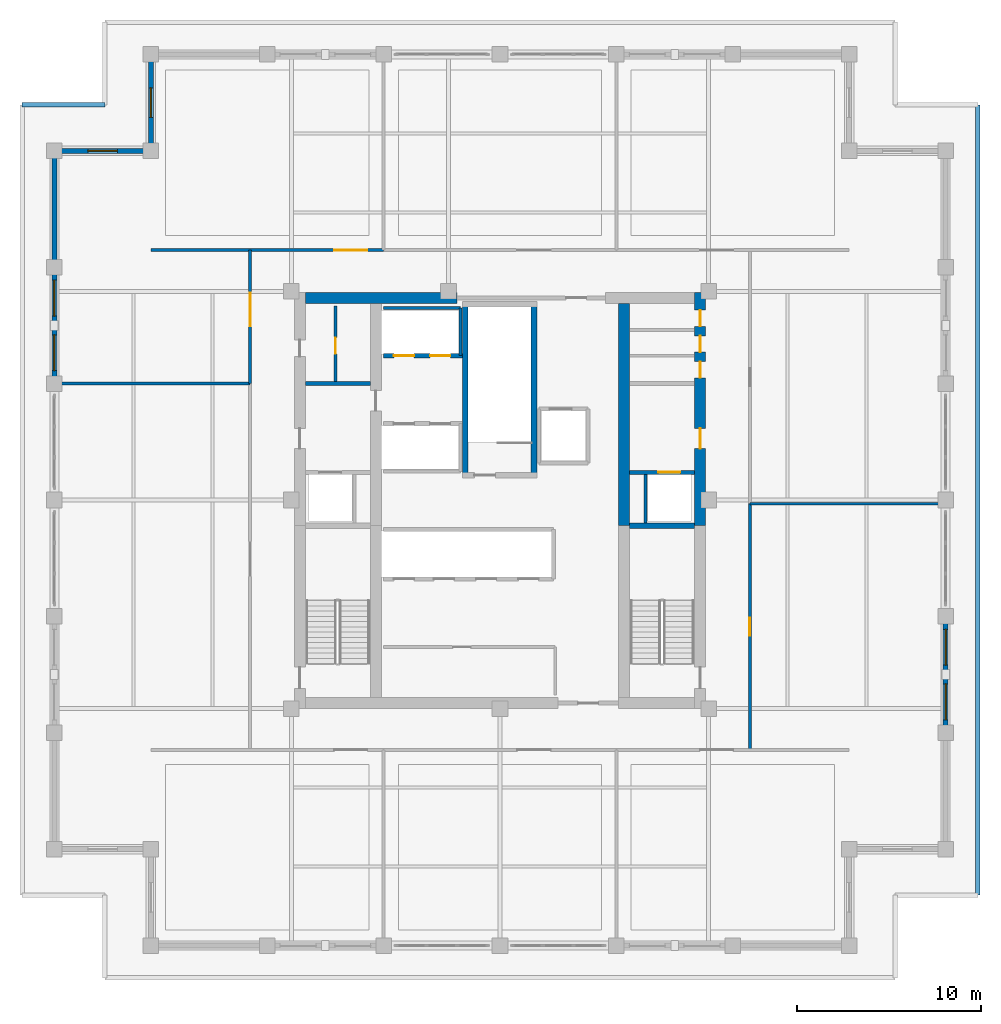
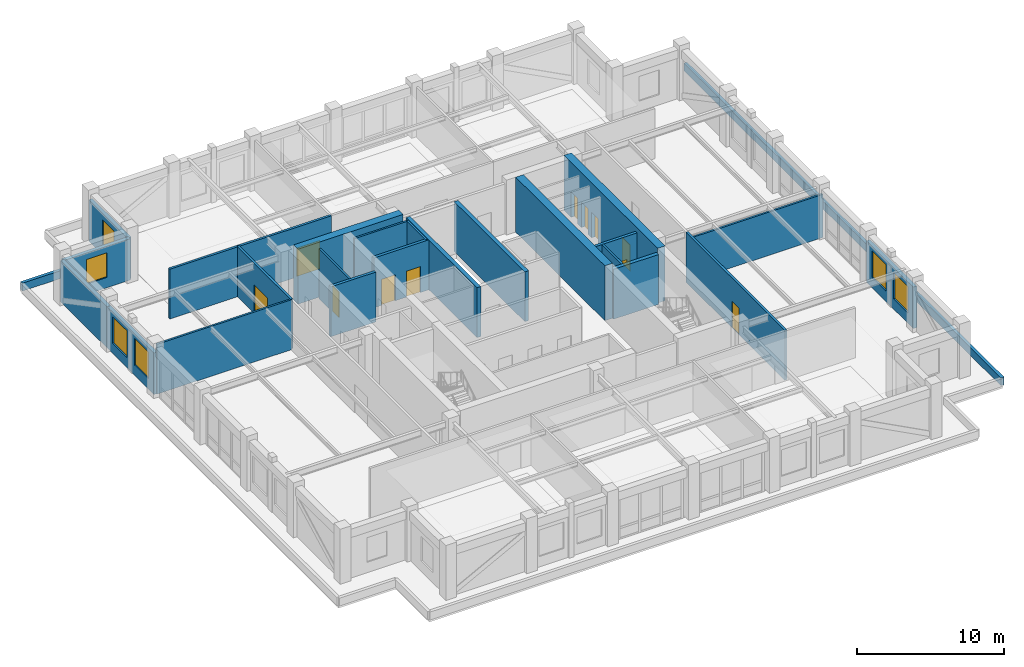
# One storey, part 9 of 14: 25 walls, 11 doors, 6 windows, 17 openings.
"""IFC4 building model written with IfcOpenShell, lengths in metres."""

from ifc_helpers import new_model, si_unit, direction, frame, frame_2d, origin, place, context, subcontext, project, spatial, rectangle, extrude, material, layer, layer_set, type_object, element, fill, save


model = new_model("IFC4")

# Units and contexts
model_context = context("Model", 3, precision=1e-05, world=origin(), true_north=direction((0.0, 1.0)))
body_context = subcontext(model_context, "Body", "Model", "MODEL_VIEW")
ifc_project = project(units=[si_unit("LENGTHUNIT", "METRE"), si_unit("AREAUNIT", "SQUARE_METRE"), si_unit("VOLUMEUNIT", "CUBIC_METRE"), si_unit("PLANEANGLEUNIT", "RADIAN"), si_unit("MASSUNIT", "GRAM", prefix="KILO")], contexts=[model_context])

# Site, building, storey
site_placement = place(None, origin())
site = spatial("IfcSite", under=ifc_project, at=site_placement, CompositionType="ELEMENT")
building_placement = place(site_placement, origin())
building = spatial("IfcBuilding", under=site, at=building_placement, Name="Nhamokura Convention Tower", CompositionType="ELEMENT")
storey_placement = place(building_placement, frame((0.0, 0.0, 182.35009765625)))
storey = spatial("IfcBuildingStorey", under=building, at=storey_placement, Name="L44", CompositionType="ELEMENT", Elevation=182.35009765625)

# Wall, opening, door
ifc_material_1 = material(Name="Moisture-resistant tile-backer partition", Category="masonry")
ifc_layer_1 = layer(ifc_material_1, 0.139892578125)
ifc_layer_set_1 = layer_set([ifc_layer_1], Name="BathroomWetWall_140")
wall_type_1 = type_object("IfcWallType", Name="BathroomWetWall_140", PredefinedType="STANDARD", material=ifc_layer_set_1)
wall_1_placement = place(storey_placement, frame((23.050048828125, 38.449951171875, 0.0), z_axis=(0.0, 0.0, 1.0), x_axis=(0.0, 1.0, 0.0)))
wall_1 = element("IfcWall", 1, at=wall_1_placement, inside=storey, type_object=wall_type_1, Name="L44 Wall INT-L44-CWNWV", PredefinedType="STANDARD", context=body_context, shape_type="SweptSolid", body=[
    extrude(rectangle(XDim=4.10009765625, YDim=0.139892578125, at=frame_2d((2.050048828125, 0.0))), origin(), (0.0, 0.0, 1.0), 4.1298828125),
])
opening_1_placement = place(wall_1_placement, frame((1.5, 0.0, 0.0)))
opening_1 = element("IfcOpeningElement", 2, at=opening_1_placement, cuts=wall_1, Name="Opening D-11", PredefinedType="OPENING", context=body_context, shape_type="SweptSolid", body=[
    extrude(rectangle(XDim=0.8798828125, YDim=2.10009765625, at=frame_2d((0.43994140625, 1.050048828125))), frame((0.0, 0.079833984375, 0.0), z_axis=(0.0, -1.0, 0.0), x_axis=(1.0, 0.0, 0.0)), (0.0, 0.0, 1.0), 0.159912109375),
])
ifc_material_2 = material(Name="Solid oak hardwood", Category="wood")
door_type_1 = type_object("IfcDoorType", Name="BathroomDoor_880", OperationType="NOTDEFINED", PredefinedType="DOOR", material=ifc_material_2)
door_1_placement = place(opening_1_placement, origin())
door_1 = element("IfcDoor", 3, at=door_1_placement, inside=storey, type_object=door_type_1, Name="L44 Inner Store Door", OperationType="SINGLE_SWING_LEFT", OverallHeight=2.10009765625, OverallWidth=0.8798828125, PredefinedType="DOOR", context=body_context, shape_type="SweptSolid", body=[
    extrude(rectangle(XDim=0.8798828125, YDim=2.10009765625, at=frame_2d((0.43994140625, 1.050048828125))), frame((0.0, 0.02490234375, 0.0), z_axis=(0.0, -1.0, 0.0), x_axis=(1.0, 0.0, 0.0)), (0.0, 0.0, 1.0), 0.050048828125),
])
fill(opening_1, door_1)

# Wall, openings, windows
ifc_material_3 = material(Name="Bronze-pigmented precast concrete C45/55", Category="concrete")
ifc_layer_2 = layer(ifc_material_3, 0.280029296875)
ifc_layer_set_2 = layer_set([ifc_layer_2], Name="BronzePrecastSpandrel_280")
wall_type_2 = type_object("IfcWallType", Name="BronzePrecastSpandrel_280", PredefinedType="USERDEFINED", material=ifc_layer_set_2)
wall_2_placement = place(storey_placement, frame((7.75, 38.333251953125, 0.0), z_axis=(0.0, 0.0, 1.0), x_axis=(0.0, 1.0, 0.0)))
wall_2 = element("IfcWall", 4, at=wall_2_placement, inside=storey, type_object=wall_type_2, Name="L44 Masonry-Frame Wall WEST 4", ObjectType="SPANDREL_WALL", PredefinedType="USERDEFINED", context=body_context, shape_type="SweptSolid", body=[
    extrude(rectangle(XDim=6.33349609375, YDim=0.280029296875, at=frame_2d((3.166748046875, 0.0))), origin(), (0.0, 0.0, 1.0), 3.429931640625),
])
opening_2_placement = place(wall_2_placement, frame((0.708251953125, 0.0, 0.85009765625)))
opening_2 = element("IfcOpeningElement", 5, at=opening_2_placement, cuts=wall_2, Name="Opening W-08", PredefinedType="OPENING", context=body_context, shape_type="SweptSolid", body=[
    extrude(rectangle(XDim=1.949951171875, YDim=2.199951171875, at=frame_2d((0.97509765625, 1.10009765625))), frame((0.0, 0.14990234375, 0.0), z_axis=(0.0, -1.0, 0.0), x_axis=(1.0, 0.0, 0.0)), (0.0, 0.0, 1.0), 0.300048828125),
])
opening_3_placement = place(wall_2_placement, frame((3.675048828125, 0.0, 0.85009765625)))
opening_3 = element("IfcOpeningElement", 6, at=opening_3_placement, cuts=wall_2, Name="Opening W-08", PredefinedType="OPENING", context=body_context, shape_type="SweptSolid", body=[
    extrude(rectangle(XDim=1.949951171875, YDim=2.199951171875, at=frame_2d((0.97509765625, 1.10009765625))), frame((0.0, 0.14990234375, 0.0), z_axis=(0.0, -1.0, 0.0), x_axis=(1.0, 0.0, 0.0)), (0.0, 0.0, 1.0), 0.300048828125),
])
ifc_material_4 = material(Name="Solar-control bronze low-E double glass", Category="glass")
window_type_1 = type_object("IfcWindowType", Name="OfficeModuleWindow_Z3_1950", PartitioningType="SINGLE_PANEL", PredefinedType="WINDOW", material=ifc_material_4)
window_1_placement = place(opening_2_placement, origin())
window_1 = element("IfcWindow", 7, at=window_1_placement, inside=storey, type_object=window_type_1, Name="L44 Facade Window WEST 4-1", OverallHeight=2.199951171875, OverallWidth=1.949951171875, PartitioningType="SINGLE_PANEL", PredefinedType="WINDOW", context=body_context, shape_type="SweptSolid", body=[
    extrude(rectangle(XDim=1.949951171875, YDim=2.199951171875, at=frame_2d((0.97509765625, 1.10009765625))), frame((0.0, 0.030029296875, 0.0), z_axis=(0.0, -1.0, 0.0), x_axis=(1.0, 0.0, 0.0)), (0.0, 0.0, 1.0), 0.06005859375),
])
fill(opening_2, window_1)
window_2_placement = place(opening_3_placement, origin())
window_2 = element("IfcWindow", 8, at=window_2_placement, inside=storey, type_object=window_type_1, Name="L44 Facade Window WEST 4-2", OverallHeight=2.199951171875, OverallWidth=1.949951171875, PartitioningType="SINGLE_PANEL", PredefinedType="WINDOW", context=body_context, shape_type="SweptSolid", body=[
    extrude(rectangle(XDim=1.949951171875, YDim=2.199951171875, at=frame_2d((0.97509765625, 1.10009765625))), frame((0.0, 0.030029296875, 0.0), z_axis=(0.0, -1.0, 0.0), x_axis=(1.0, 0.0, 0.0)), (0.0, 0.0, 1.0), 0.06005859375),
])
fill(opening_3, window_2)

# Wall
wall_3_placement = place(storey_placement, frame((7.75, 44.666748046875, 0.0), z_axis=(0.0, 0.0, 1.0), x_axis=(0.0, 1.0, 0.0)))
element("IfcWall", 9, at=wall_3_placement, inside=storey, type_object=wall_type_2, Name="L44 Braced-Bay Precast Wall WEST 5", ObjectType="SPANDREL_WALL", PredefinedType="USERDEFINED", context=body_context, shape_type="SweptSolid", body=[
    extrude(rectangle(XDim=6.333251953125, YDim=0.280029296875, at=frame_2d((3.16650390625, 0.0))), origin(), (0.0, 0.0, 1.0), 3.429931640625),
])

# Wall, openings, windows
wall_4_placement = place(storey_placement, frame((56.25, 25.666748046875, 0.0), z_axis=(0.0, 0.0, 1.0), x_axis=(0.0, -1.0, 0.0)))
wall_4 = element("IfcWall", 10, at=wall_4_placement, inside=storey, type_object=wall_type_2, Name="L44 Masonry-Frame Wall EAST 1", ObjectType="SPANDREL_WALL", PredefinedType="USERDEFINED", context=body_context, shape_type="SweptSolid", body=[
    extrude(rectangle(XDim=6.33349609375, YDim=0.280029296875, at=frame_2d((3.166748046875, 0.0))), origin(), (0.0, 0.0, 1.0), 3.429931640625),
])
opening_4_placement = place(wall_4_placement, frame((0.708251953125, 0.0, 0.85009765625)))
opening_4 = element("IfcOpeningElement", 11, at=opening_4_placement, cuts=wall_4, Name="Opening W-08", PredefinedType="OPENING", context=body_context, shape_type="SweptSolid", body=[
    extrude(rectangle(XDim=1.949951171875, YDim=2.199951171875, at=frame_2d((0.97509765625, 1.10009765625))), frame((0.0, 0.14990234375, 0.0), z_axis=(0.0, -1.0, 0.0), x_axis=(1.0, 0.0, 0.0)), (0.0, 0.0, 1.0), 0.300048828125),
])
opening_5_placement = place(wall_4_placement, frame((3.675048828125, 0.0, 0.85009765625)))
opening_5 = element("IfcOpeningElement", 12, at=opening_5_placement, cuts=wall_4, Name="Opening W-08", PredefinedType="OPENING", context=body_context, shape_type="SweptSolid", body=[
    extrude(rectangle(XDim=1.949951171875, YDim=2.199951171875, at=frame_2d((0.97509765625, 1.10009765625))), frame((0.0, 0.14990234375, 0.0), z_axis=(0.0, -1.0, 0.0), x_axis=(1.0, 0.0, 0.0)), (0.0, 0.0, 1.0), 0.300048828125),
])
window_3_placement = place(opening_4_placement, origin())
window_3 = element("IfcWindow", 13, at=window_3_placement, inside=storey, type_object=window_type_1, Name="L44 Facade Window EAST 1-1", OverallHeight=2.199951171875, OverallWidth=1.949951171875, PartitioningType="SINGLE_PANEL", PredefinedType="WINDOW", context=body_context, shape_type="SweptSolid", body=[
    extrude(rectangle(XDim=1.949951171875, YDim=2.199951171875, at=frame_2d((0.97509765625, 1.10009765625))), frame((0.0, 0.030029296875, 0.0), z_axis=(0.0, -1.0, 0.0), x_axis=(1.0, 0.0, 0.0)), (0.0, 0.0, 1.0), 0.06005859375),
])
fill(opening_4, window_3)
window_4_placement = place(opening_5_placement, origin())
window_4 = element("IfcWindow", 14, at=window_4_placement, inside=storey, type_object=window_type_1, Name="L44 Facade Window EAST 1-2", OverallHeight=2.199951171875, OverallWidth=1.949951171875, PartitioningType="SINGLE_PANEL", PredefinedType="WINDOW", context=body_context, shape_type="SweptSolid", body=[
    extrude(rectangle(XDim=1.949951171875, YDim=2.199951171875, at=frame_2d((0.97509765625, 1.10009765625))), frame((0.0, 0.030029296875, 0.0), z_axis=(0.0, -1.0, 0.0), x_axis=(1.0, 0.0, 0.0)), (0.0, 0.0, 1.0), 0.06005859375),
])
fill(opening_5, window_4)

# Wall, opening, window
wall_5_placement = place(storey_placement, frame((13.0, 51.0, 0.0), z_axis=(0.0, 0.0, 1.0), x_axis=(0.0, 1.0, 0.0)))
wall_5 = element("IfcWall", 15, at=wall_5_placement, inside=storey, type_object=wall_type_2, Name="L44 Notched Corner Wall NW1", ObjectType="SPANDREL_WALL", PredefinedType="USERDEFINED", context=body_context, shape_type="SweptSolid", body=[
    extrude(rectangle(XDim=5.25, YDim=0.280029296875, at=frame_2d((2.625, 0.0))), origin(), (0.0, 0.0, 1.0), 3.429931640625),
])
opening_6_placement = place(wall_5_placement, frame((1.824951171875, 0.0, 0.85009765625)))
opening_6 = element("IfcOpeningElement", 16, at=opening_6_placement, cuts=wall_5, Name="Opening W-11", PredefinedType="OPENING", context=body_context, shape_type="SweptSolid", body=[
    extrude(rectangle(XDim=1.60009765625, YDim=2.050048828125, at=frame_2d((0.800048828125, 1.02490234375))), frame((0.0, 0.14990234375, 0.0), z_axis=(0.0, -1.0, 0.0), x_axis=(1.0, 0.0, 0.0)), (0.0, 0.0, 1.0), 0.300048828125),
])
ifc_material_5 = material(Name="Solar-control bronze low-E double glass", Category="glass")
window_type_2 = type_object("IfcWindowType", Name="NotchCornerWindow_1600", PartitioningType="SINGLE_PANEL", PredefinedType="WINDOW", material=ifc_material_5)
window_5_placement = place(opening_6_placement, origin())
window_5 = element("IfcWindow", 17, at=window_5_placement, inside=storey, type_object=window_type_2, Name="L44 Notched Corner Window NW1", OverallHeight=2.050048828125, OverallWidth=1.60009765625, PartitioningType="SINGLE_PANEL", PredefinedType="WINDOW", context=body_context, shape_type="SweptSolid", body=[
    extrude(rectangle(XDim=1.60009765625, YDim=2.050048828125, at=frame_2d((0.800048828125, 1.02490234375))), frame((0.0, 0.030029296875, 0.0), z_axis=(0.0, -1.0, 0.0), x_axis=(1.0, 0.0, 0.0)), (0.0, 0.0, 1.0), 0.06005859375),
])
fill(opening_6, window_5)

wall_6_placement = place(storey_placement, frame((7.75, 51.0, 0.0), z_axis=(0.0, 0.0, 1.0), x_axis=(1.0, 0.0, 0.0)))
wall_6 = element("IfcWall", 18, at=wall_6_placement, inside=storey, type_object=wall_type_2, Name="L44 Notched Corner Wall NW2", ObjectType="SPANDREL_WALL", PredefinedType="USERDEFINED", context=body_context, shape_type="SweptSolid", body=[
    extrude(rectangle(XDim=5.25, YDim=0.280029296875, at=frame_2d((2.625, 0.0))), origin(), (0.0, 0.0, 1.0), 3.429931640625),
])
opening_7_placement = place(wall_6_placement, frame((1.824951171875, 0.0, 0.85009765625)))
opening_7 = element("IfcOpeningElement", 19, at=opening_7_placement, cuts=wall_6, Name="Opening W-11", PredefinedType="OPENING", context=body_context, shape_type="SweptSolid", body=[
    extrude(rectangle(XDim=1.60009765625, YDim=2.050048828125, at=frame_2d((0.800048828125, 1.02490234375))), frame((0.0, 0.14990234375, 0.0), z_axis=(0.0, -1.0, 0.0), x_axis=(1.0, 0.0, 0.0)), (0.0, 0.0, 1.0), 0.300048828125),
])
window_6_placement = place(opening_7_placement, origin())
window_6 = element("IfcWindow", 20, at=window_6_placement, inside=storey, type_object=window_type_2, Name="L44 Notched Corner Window NW2", OverallHeight=2.050048828125, OverallWidth=1.60009765625, PartitioningType="SINGLE_PANEL", PredefinedType="WINDOW", context=body_context, shape_type="SweptSolid", body=[
    extrude(rectangle(XDim=1.60009765625, YDim=2.050048828125, at=frame_2d((0.800048828125, 1.02490234375))), frame((0.0, 0.030029296875, 0.0), z_axis=(0.0, -1.0, 0.0), x_axis=(1.0, 0.0, 0.0)), (0.0, 0.0, 1.0), 0.06005859375),
])
fill(opening_7, window_6)

# Wall, openings, doors
ifc_material_6 = material(Name="Concrete C60/75", Category="concrete")
ifc_layer_3 = layer(ifc_material_6, 0.60009765625)
ifc_layer_set_3 = layer_set([ifc_layer_3], Name="CoreShearWall_600")
wall_type_3 = type_object("IfcWallType", Name="CoreShearWall_600", PredefinedType="SHEAR", material=ifc_layer_set_3)
wall_7_placement = place(storey_placement, frame((42.889892578125, 30.60009765625, 0.0), z_axis=(0.0, 0.0, 1.0), x_axis=(0.0, 1.0, 0.0)))
wall_7 = element("IfcWall", 21, at=wall_7_placement, inside=storey, type_object=wall_type_3, Name="L44 Core Shear Wall CW-EN", PredefinedType="SHEAR", context=body_context, shape_type="SweptSolid", body=[
    extrude(rectangle(XDim=12.699951171875, YDim=0.60009765625, at=frame_2d((6.35009765625, 0.0))), origin(), (0.0, 0.0, 1.0), 4.5498046875),
])
opening_8_placement = place(wall_7_placement, frame((4.199951171875, 0.0, 0.0)))
opening_8 = element("IfcOpeningElement", 22, at=opening_8_placement, cuts=wall_7, Name="Opening D-05", PredefinedType="OPENING", context=body_context, shape_type="SweptSolid", body=[
    extrude(rectangle(XDim=1.10009765625, YDim=2.14990234375, at=frame_2d((0.550048828125, 1.074951171875))), frame((0.0, 0.31005859375, 0.0), z_axis=(0.0, -1.0, 0.0), x_axis=(1.0, 0.0, 0.0)), (0.0, 0.0, 1.0), 0.6201171875),
])
opening_9_placement = place(wall_7_placement, frame((8.050048828125, 0.0, 0.0)))
opening_9 = element("IfcOpeningElement", 23, at=opening_9_placement, cuts=wall_7, Name="Opening D-11", PredefinedType="OPENING", context=body_context, shape_type="SweptSolid", body=[
    extrude(rectangle(XDim=0.8798828125, YDim=2.10009765625, at=frame_2d((0.43994140625, 1.050048828125))), frame((0.0, 0.31005859375, 0.0), z_axis=(0.0, -1.0, 0.0), x_axis=(1.0, 0.0, 0.0)), (0.0, 0.0, 1.0), 0.6201171875),
])
opening_10_placement = place(wall_7_placement, frame((9.449951171875, 0.0, 0.0)))
opening_10 = element("IfcOpeningElement", 24, at=opening_10_placement, cuts=wall_7, Name="Opening D-11", PredefinedType="OPENING", context=body_context, shape_type="SweptSolid", body=[
    extrude(rectangle(XDim=0.8798828125, YDim=2.10009765625, at=frame_2d((0.43994140625, 1.050048828125))), frame((0.0, 0.31005859375, 0.0), z_axis=(0.0, -1.0, 0.0), x_axis=(1.0, 0.0, 0.0)), (0.0, 0.0, 1.0), 0.6201171875),
])
opening_11_placement = place(wall_7_placement, frame((10.85009765625, 0.0, 0.0)))
opening_11 = element("IfcOpeningElement", 25, at=opening_11_placement, cuts=wall_7, Name="Opening D-11", PredefinedType="OPENING", context=body_context, shape_type="SweptSolid", body=[
    extrude(rectangle(XDim=0.8798828125, YDim=2.10009765625, at=frame_2d((0.43994140625, 1.050048828125))), frame((0.0, 0.31005859375, 0.0), z_axis=(0.0, -1.0, 0.0), x_axis=(1.0, 0.0, 0.0)), (0.0, 0.0, 1.0), 0.6201171875),
])
door_2_placement = place(opening_9_placement, origin())
door_2 = element("IfcDoor", 26, at=door_2_placement, inside=storey, type_object=door_type_1, Name="L44 Core Door INT-L44-D-MWC", OperationType="SINGLE_SWING_LEFT", OverallHeight=2.10009765625, OverallWidth=0.8798828125, PredefinedType="DOOR", context=body_context, shape_type="SweptSolid", body=[
    extrude(rectangle(XDim=0.8798828125, YDim=2.10009765625, at=frame_2d((0.43994140625, 1.050048828125))), frame((0.0, 0.02490234375, 0.0), z_axis=(0.0, -1.0, 0.0), x_axis=(1.0, 0.0, 0.0)), (0.0, 0.0, 1.0), 0.050048828125),
])
fill(opening_9, door_2)
door_3_placement = place(opening_10_placement, origin())
door_3 = element("IfcDoor", 27, at=door_3_placement, inside=storey, type_object=door_type_1, Name="L44 Core Door INT-L44-D-FWC", OperationType="SINGLE_SWING_RIGHT", OverallHeight=2.10009765625, OverallWidth=0.8798828125, PredefinedType="DOOR", context=body_context, shape_type="SweptSolid", body=[
    extrude(rectangle(XDim=0.8798828125, YDim=2.10009765625, at=frame_2d((0.43994140625, 1.050048828125))), frame((0.0, 0.02490234375, 0.0), z_axis=(0.0, -1.0, 0.0), x_axis=(1.0, 0.0, 0.0)), (0.0, 0.0, 1.0), 0.050048828125),
])
fill(opening_10, door_3)
door_4_placement = place(opening_11_placement, origin())
door_4 = element("IfcDoor", 28, at=door_4_placement, inside=storey, type_object=door_type_1, Name="L44 Core Door INT-L44-D-ARC", OperationType="SINGLE_SWING_LEFT", OverallHeight=2.10009765625, OverallWidth=0.8798828125, PredefinedType="DOOR", context=body_context, shape_type="SweptSolid", body=[
    extrude(rectangle(XDim=0.8798828125, YDim=2.10009765625, at=frame_2d((0.43994140625, 1.050048828125))), frame((0.0, 0.02490234375, 0.0), z_axis=(0.0, -1.0, 0.0), x_axis=(1.0, 0.0, 0.0)), (0.0, 0.0, 1.0), 0.050048828125),
])
fill(opening_11, door_4)
ifc_material_7 = material(Name="Fire-rated steel door", Category="steel")
door_type_2 = type_object("IfcDoorType", Name="FireLobbyDoor_1100", OperationType="NOTDEFINED", PredefinedType="DOOR", material=ifc_material_7)
door_5_placement = place(opening_8_placement, origin())
door_5 = element("IfcDoor", 29, at=door_5_placement, inside=storey, type_object=door_type_2, Name="L44 Core Door INT-L44-D-FFLE", OperationType="SINGLE_SWING_LEFT", OverallHeight=2.14990234375, OverallWidth=1.10009765625, PredefinedType="DOOR", context=body_context, shape_type="SweptSolid", body=[
    extrude(rectangle(XDim=1.10009765625, YDim=2.14990234375, at=frame_2d((0.550048828125, 1.074951171875))), frame((0.0, 0.02490234375, 0.0), z_axis=(0.0, -1.0, 0.0), x_axis=(1.0, 0.0, 0.0)), (0.0, 0.0, 1.0), 0.050048828125),
])
fill(opening_8, door_5)

# Walls
wall_8_placement = place(storey_placement, frame((21.409912109375, 43.0, 0.0), z_axis=(0.0, 0.0, 1.0), x_axis=(1.0, 0.0, 0.0)))
element("IfcWall", 30, at=wall_8_placement, inside=storey, type_object=wall_type_3, Name="L44 Core Shear Wall CW-N1", PredefinedType="SHEAR", context=body_context, shape_type="SweptSolid", body=[
    extrude(rectangle(XDim=8.239990234375, YDim=0.60009765625, at=frame_2d((4.1201171875, 0.0))), origin(), (0.0, 0.0, 1.0), 4.5498046875),
])
wall_9_placement = place(storey_placement, frame((38.760009765625, 30.60009765625, 0.0), z_axis=(0.0, 0.0, 1.0), x_axis=(0.0, 1.0, 0.0)))
element("IfcWall", 31, at=wall_9_placement, inside=storey, type_object=wall_type_3, Name="L44 Core Shear Wall CW-IEN", PredefinedType="SHEAR", context=body_context, shape_type="SweptSolid", body=[
    extrude(rectangle(XDim=12.099853515625, YDim=0.60009765625, at=frame_2d((6.0498046875, 0.0))), origin(), (0.0, 0.0, 1.0), 4.5498046875),
])

# Wall, opening, door
ifc_material_8 = material(Name="Fire-rated gypsum and masonry partition", Category="masonry")
ifc_layer_4 = layer(ifc_material_8, 0.179931640625)
ifc_layer_set_4 = layer_set([ifc_layer_4], Name="CorridorRatedWall_180")
wall_type_4 = type_object("IfcWallType", Name="CorridorRatedWall_180", PredefinedType="STANDARD", material=ifc_layer_set_4)
wall_10_placement = place(storey_placement, frame((13.0, 45.60009765625, 0.0), z_axis=(0.0, 0.0, 1.0), x_axis=(1.0, 0.0, 0.0)))
wall_10 = element("IfcWall", 32, at=wall_10_placement, inside=storey, type_object=wall_type_4, Name="L44 Wall INT-L44-CW-N00", PredefinedType="STANDARD", context=body_context, shape_type="SweptSolid", body=[
    extrude(rectangle(XDim=12.666748046875, YDim=0.179931640625, at=frame_2d((6.33349609375, 0.0))), origin(), (0.0, 0.0, 1.0), 4.1298828125),
])
opening_12_placement = place(wall_10_placement, frame((9.9833984375, 0.0, 0.0)))
opening_12 = element("IfcOpeningElement", 33, at=opening_12_placement, cuts=wall_10, Name="Opening D-03", PredefinedType="OPENING", context=body_context, shape_type="SweptSolid", body=[
    extrude(rectangle(XDim=1.800048828125, YDim=2.35009765625, at=frame_2d((0.89990234375, 1.175048828125))), frame((0.0, 0.099853515625, 0.0), z_axis=(0.0, -1.0, 0.0), x_axis=(1.0, 0.0, 0.0)), (0.0, 0.0, 1.0), 0.199951171875),
])
ifc_material_9 = material(Name="Solid oak hardwood", Category="wood")
door_type_3 = type_object("IfcDoorType", Name="BallroomDoubleDoor_1800", OperationType="DOUBLE_DOOR_SINGLE_SWING", PredefinedType="DOOR", material=ifc_material_9)
door_6_placement = place(opening_12_placement, origin())
door_6 = element("IfcDoor", 34, at=door_6_placement, inside=storey, type_object=door_type_3, Name="L44 Boardroom N01 Door", OperationType="SINGLE_SWING_LEFT", OverallHeight=2.35009765625, OverallWidth=1.800048828125, PredefinedType="DOOR", context=body_context, shape_type="SweptSolid", body=[
    extrude(rectangle(XDim=1.800048828125, YDim=2.35009765625, at=frame_2d((0.89990234375, 1.175048828125))), frame((0.0, 0.02490234375, 0.0), z_axis=(0.0, -1.0, 0.0), x_axis=(1.0, 0.0, 0.0)), (0.0, 0.0, 1.0), 0.050048828125),
])
fill(opening_12, door_6)

wall_11_placement = place(storey_placement, frame((18.39990234375, 38.333251953125, 0.0), z_axis=(0.0, 0.0, 1.0), x_axis=(0.0, 1.0, 0.0)))
wall_11 = element("IfcWall", 35, at=wall_11_placement, inside=storey, type_object=wall_type_4, Name="L44 Wall INT-L44-CW-W01", PredefinedType="STANDARD", context=body_context, shape_type="SweptSolid", body=[
    extrude(rectangle(XDim=7.266845703125, YDim=0.179931640625, at=frame_2d((3.63330078125, 0.0))), origin(), (0.0, 0.0, 1.0), 4.1298828125),
])
opening_13_placement = place(wall_11_placement, frame((3.13330078125, 0.0, 0.0)))
opening_13 = element("IfcOpeningElement", 36, at=opening_13_placement, cuts=wall_11, Name="Opening D-03", PredefinedType="OPENING", context=body_context, shape_type="SweptSolid", body=[
    extrude(rectangle(XDim=1.800048828125, YDim=2.35009765625, at=frame_2d((0.89990234375, 1.175048828125))), frame((0.0, 0.099853515625, 0.0), z_axis=(0.0, -1.0, 0.0), x_axis=(1.0, 0.0, 0.0)), (0.0, 0.0, 1.0), 0.199951171875),
])
door_7_placement = place(opening_13_placement, origin())
door_7 = element("IfcDoor", 37, at=door_7_placement, inside=storey, type_object=door_type_3, Name="L44 Meeting Room W02 Door", OperationType="SINGLE_SWING_RIGHT", OverallHeight=2.35009765625, OverallWidth=1.800048828125, PredefinedType="DOOR", context=body_context, shape_type="SweptSolid", body=[
    extrude(rectangle(XDim=1.800048828125, YDim=2.35009765625, at=frame_2d((0.89990234375, 1.175048828125))), frame((0.0, 0.02490234375, 0.0), z_axis=(0.0, -1.0, 0.0), x_axis=(1.0, 0.0, 0.0)), (0.0, 0.0, 1.0), 0.050048828125),
])
fill(opening_13, door_7)

wall_12_placement = place(storey_placement, frame((45.60009765625, 18.39990234375, 0.0), z_axis=(0.0, 0.0, 1.0), x_axis=(0.0, 1.0, 0.0)))
wall_12 = element("IfcWall", 38, at=wall_12_placement, inside=storey, type_object=wall_type_4, Name="L44 Wall INT-L44-CW-E00", PredefinedType="STANDARD", context=body_context, shape_type="SweptSolid", body=[
    extrude(rectangle(XDim=13.400146484375, YDim=0.179931640625, at=frame_2d((6.7001953125, 0.0))), origin(), (0.0, 0.0, 1.0), 4.1298828125),
])
opening_14_placement = place(wall_12_placement, frame((6.199951171875, 0.0, 0.0)))
opening_14 = element("IfcOpeningElement", 39, at=opening_14_placement, cuts=wall_12, Name="Opening D-08", PredefinedType="OPENING", context=body_context, shape_type="SweptSolid", body=[
    extrude(rectangle(XDim=0.97998046875, YDim=2.199951171875, at=frame_2d((0.489990234375, 1.10009765625))), frame((0.0, 0.099853515625, 0.0), z_axis=(0.0, -1.0, 0.0), x_axis=(1.0, 0.0, 0.0)), (0.0, 0.0, 1.0), 0.199951171875),
])
ifc_material_10 = material(Name="Solid oak hardwood", Category="wood")
door_type_4 = type_object("IfcDoorType", Name="OfficeEntryDoor_980", OperationType="NOTDEFINED", PredefinedType="DOOR", material=ifc_material_10)
door_8_placement = place(opening_14_placement, origin())
door_8 = element("IfcDoor", 40, at=door_8_placement, inside=storey, type_object=door_type_4, Name="L44 Club Lounge E01 Door", OperationType="SINGLE_SWING_LEFT", OverallHeight=2.199951171875, OverallWidth=0.97998046875, PredefinedType="DOOR", context=body_context, shape_type="SweptSolid", body=[
    extrude(rectangle(XDim=0.97998046875, YDim=2.199951171875, at=frame_2d((0.489990234375, 1.10009765625))), frame((0.0, 0.02490234375, 0.0), z_axis=(0.0, -1.0, 0.0), x_axis=(1.0, 0.0, 0.0)), (0.0, 0.0, 1.0), 0.050048828125),
])
fill(opening_14, door_8)

ifc_material_11 = material(Name="Autoclaved concrete blockwork", Category="masonry")
ifc_layer_5 = layer(ifc_material_11, 0.219970703125)
ifc_layer_set_5 = layer_set([ifc_layer_5], Name="FireLobbyWall_220")
wall_type_5 = type_object("IfcWallType", Name="FireLobbyWall_220", PredefinedType="STANDARD", material=ifc_layer_set_5)
wall_13_placement = place(storey_placement, frame((39.06005859375, 33.5, 0.0), z_axis=(0.0, 0.0, 1.0), x_axis=(1.0, 0.0, 0.0)))
wall_13 = element("IfcWall", 41, at=wall_13_placement, inside=storey, type_object=wall_type_5, Name="L44 Wall INT-L44-FFE-S", PredefinedType="STANDARD", context=body_context, shape_type="SweptSolid", body=[
    extrude(rectangle(XDim=3.530029296875, YDim=0.219970703125, at=frame_2d((1.76513671875, 0.0))), origin(), (0.0, 0.0, 1.0), 4.1298828125),
])
opening_15_placement = place(wall_13_placement, frame((1.550048828125, 0.0, 0.0)))
opening_15 = element("IfcOpeningElement", 42, at=opening_15_placement, cuts=wall_13, Name="Opening LD-02", PredefinedType="OPENING", context=body_context, shape_type="SweptSolid", body=[
    extrude(rectangle(XDim=1.199951171875, YDim=2.199951171875, at=frame_2d((0.60009765625, 1.10009765625))), frame((0.0, 0.119873046875, 0.0), z_axis=(0.0, -1.0, 0.0), x_axis=(1.0, 0.0, 0.0)), (0.0, 0.0, 1.0), 0.239990234375),
])
ifc_material_12 = material(Name="Anodised bronze stainless steel", Category="steel")
door_type_5 = type_object("IfcDoorType", Name="LiftLandingDoor_FireService", OperationType="DOUBLE_DOOR_SLIDING", PredefinedType="DOOR", material=ifc_material_12)
door_9_placement = place(opening_15_placement, origin())
door_9 = element("IfcDoor", 43, at=door_9_placement, inside=storey, type_object=door_type_5, Name="L44 Firefighting Lift LF-02 Door", OperationType="DOUBLE_DOOR_SLIDING", OverallHeight=2.199951171875, OverallWidth=1.199951171875, PredefinedType="DOOR", context=body_context, shape_type="SweptSolid", body=[
    extrude(rectangle(XDim=1.199951171875, YDim=2.199951171875, at=frame_2d((0.60009765625, 1.10009765625))), frame((0.0, 0.02490234375, 0.0), z_axis=(0.0, -1.0, 0.0), x_axis=(1.0, 0.0, 0.0)), (0.0, 0.0, 1.0), 0.050048828125),
])
fill(opening_15, door_9)

# Wall
wall_14_placement = place(storey_placement, frame((21.409912109375, 38.35009765625, 0.0), z_axis=(0.0, 0.0, 1.0), x_axis=(1.0, 0.0, 0.0)))
element("IfcWall", 44, at=wall_14_placement, inside=storey, type_object=wall_type_5, Name="L44 Wall INT-L44-FFW-N", PredefinedType="STANDARD", context=body_context, shape_type="SweptSolid", body=[
    extrude(rectangle(XDim=3.530029296875, YDim=0.219970703125, at=frame_2d((1.76513671875, 0.0))), origin(), (0.0, 0.0, 1.0), 4.1298828125),
])

# Wall, openings, doors
wall_15_placement = place(storey_placement, frame((25.64990234375, 39.85009765625, 0.0), z_axis=(0.0, 0.0, 1.0), x_axis=(1.0, 0.0, 0.0)))
wall_15 = element("IfcWall", 45, at=wall_15_placement, inside=storey, type_object=wall_type_5, Name="L44 Wall INT-L44-B3N", PredefinedType="STANDARD", context=body_context, shape_type="SweptSolid", body=[
    extrude(rectangle(XDim=4.300048828125, YDim=0.219970703125, at=frame_2d((2.14990234375, 0.0))), origin(), (0.0, 0.0, 1.0), 4.1298828125),
])
opening_16_placement = place(wall_15_placement, frame((0.580078125, 0.0, 0.0)))
opening_16 = element("IfcOpeningElement", 46, at=opening_16_placement, cuts=wall_15, Name="Opening LD-01", PredefinedType="OPENING", context=body_context, shape_type="SweptSolid", body=[
    extrude(rectangle(XDim=1.10009765625, YDim=2.14990234375, at=frame_2d((0.550048828125, 1.074951171875))), frame((0.0, 0.119873046875, 0.0), z_axis=(0.0, -1.0, 0.0), x_axis=(1.0, 0.0, 0.0)), (0.0, 0.0, 1.0), 0.239990234375),
])
opening_17_placement = place(wall_15_placement, frame((2.550048828125, 0.0, 0.0)))
opening_17 = element("IfcOpeningElement", 47, at=opening_17_placement, cuts=wall_15, Name="Opening LD-01", PredefinedType="OPENING", context=body_context, shape_type="SweptSolid", body=[
    extrude(rectangle(XDim=1.10009765625, YDim=2.14990234375, at=frame_2d((0.550048828125, 1.074951171875))), frame((0.0, 0.119873046875, 0.0), z_axis=(0.0, -1.0, 0.0), x_axis=(1.0, 0.0, 0.0)), (0.0, 0.0, 1.0), 0.239990234375),
])
ifc_material_13 = material(Name="Anodised bronze stainless steel", Category="steel")
door_type_6 = type_object("IfcDoorType", Name="LiftLandingDoor_Passenger", OperationType="DOUBLE_DOOR_SLIDING", PredefinedType="DOOR", material=ifc_material_13)
door_10_placement = place(opening_16_placement, origin())
door_10 = element("IfcDoor", 48, at=door_10_placement, inside=storey, type_object=door_type_6, Name="L44 Lift LP-11 Door", OperationType="DOUBLE_DOOR_SLIDING", OverallHeight=2.14990234375, OverallWidth=1.10009765625, PredefinedType="DOOR", context=body_context, shape_type="SweptSolid", body=[
    extrude(rectangle(XDim=1.10009765625, YDim=2.14990234375, at=frame_2d((0.550048828125, 1.074951171875))), frame((0.0, 0.02490234375, 0.0), z_axis=(0.0, -1.0, 0.0), x_axis=(1.0, 0.0, 0.0)), (0.0, 0.0, 1.0), 0.050048828125),
])
fill(opening_16, door_10)
door_11_placement = place(opening_17_placement, origin())
door_11 = element("IfcDoor", 49, at=door_11_placement, inside=storey, type_object=door_type_6, Name="L44 Lift LP-12 Door", OperationType="DOUBLE_DOOR_SLIDING", OverallHeight=2.14990234375, OverallWidth=1.10009765625, PredefinedType="DOOR", context=body_context, shape_type="SweptSolid", body=[
    extrude(rectangle(XDim=1.10009765625, YDim=2.14990234375, at=frame_2d((0.550048828125, 1.074951171875))), frame((0.0, 0.02490234375, 0.0), z_axis=(0.0, -1.0, 0.0), x_axis=(1.0, 0.0, 0.0)), (0.0, 0.0, 1.0), 0.050048828125),
])
fill(opening_17, door_11)

# Walls
ifc_material_14 = material(Name="Acoustic gypsum stud partition", Category="masonry")
ifc_layer_6 = layer(ifc_material_14, 0.14990234375)
ifc_layer_set_6 = layer_set([ifc_layer_6], Name="InteriorPartition_150")
wall_type_6 = type_object("IfcWallType", Name="InteriorPartition_150", PredefinedType="STANDARD", material=ifc_layer_set_6)
wall_16_placement = place(storey_placement, frame((39.919921875, 30.75, 0.0), z_axis=(0.0, 0.0, 1.0), x_axis=(0.0, 1.0, 0.0)))
element("IfcWall", 50, at=wall_16_placement, inside=storey, type_object=wall_type_6, Name="L44 Wall INT-L44-FF2-W", PredefinedType="STANDARD", context=body_context, shape_type="SweptSolid", body=[
    extrude(rectangle(XDim=2.64990234375, YDim=0.14990234375, at=frame_2d((1.324951171875, 0.0))), origin(), (0.0, 0.0, 1.0), 4.1298828125),
])
wall_17_placement = place(storey_placement, frame((25.64990234375, 42.449951171875, 0.0), z_axis=(0.0, 0.0, 1.0), x_axis=(1.0, 0.0, 0.0)))
element("IfcWall", 51, at=wall_17_placement, inside=storey, type_object=wall_type_6, Name="L44 Wall INT-L44-B3B-N", PredefinedType="STANDARD", context=body_context, shape_type="SweptSolid", body=[
    extrude(rectangle(XDim=4.2001953125, YDim=0.14990234375, at=frame_2d((2.10009765625, 0.0))), origin(), (0.0, 0.0, 1.0), 4.1298828125),
])
wall_18_placement = place(storey_placement, frame((29.85009765625, 39.85009765625, 0.0), z_axis=(0.0, 0.0, 1.0), x_axis=(0.0, 1.0, 0.0)))
element("IfcWall", 52, at=wall_18_placement, inside=storey, type_object=wall_type_6, Name="L44 Wall INT-L44-B3B-E", PredefinedType="STANDARD", context=body_context, shape_type="SweptSolid", body=[
    extrude(rectangle(XDim=2.599853515625, YDim=0.14990234375, at=frame_2d((1.2998046875, 0.0))), origin(), (0.0, 0.0, 1.0), 4.1298828125),
])
wall_19_placement = place(storey_placement, frame((7.81005859375, 38.333251953125, 0.0), z_axis=(0.0, 0.0, 1.0), x_axis=(1.0, 0.0, 0.0)))
element("IfcWall", 53, at=wall_19_placement, inside=storey, type_object=wall_type_6, Name="L44 Wall INT-L44-RW-W01", PredefinedType="STANDARD", context=body_context, shape_type="SweptSolid", body=[
    extrude(rectangle(XDim=10.58984375, YDim=0.14990234375, at=frame_2d((5.294921875, 0.0))), origin(), (0.0, 0.0, 1.0), 4.1298828125),
])
wall_20_placement = place(storey_placement, frame((45.60009765625, 31.800048828125, 0.0), z_axis=(0.0, 0.0, 1.0), x_axis=(1.0, 0.0, 0.0)))
element("IfcWall", 54, at=wall_20_placement, inside=storey, type_object=wall_type_6, Name="L44 Wall INT-L44-RW-E01", PredefinedType="STANDARD", context=body_context, shape_type="SweptSolid", body=[
    extrude(rectangle(XDim=10.58984375, YDim=0.14990234375, at=frame_2d((5.294921875, 0.0))), origin(), (0.0, 0.0, 1.0), 3.578857421875),
])
ifc_material_15 = material(Name="Concrete C50/60", Category="concrete")
ifc_layer_7 = layer(ifc_material_15, 0.300048828125)
ifc_layer_set_7 = layer_set([ifc_layer_7], Name="ShaftEnclosureWall_300")
wall_type_7 = type_object("IfcWallType", Name="ShaftEnclosureWall_300", PredefinedType="SHEAR", material=ifc_layer_set_7)
wall_21_placement = place(storey_placement, frame((39.06005859375, 30.60009765625, 0.0), z_axis=(0.0, 0.0, 1.0), x_axis=(1.0, 0.0, 0.0)))
element("IfcWall", 55, at=wall_21_placement, inside=storey, type_object=wall_type_7, Name="L44 Wall INT-L44-ST02-N", PredefinedType="SHEAR", context=body_context, shape_type="SweptSolid", body=[
    extrude(rectangle(XDim=3.530029296875, YDim=0.300048828125, at=frame_2d((1.76513671875, 0.0))), origin(), (0.0, 0.0, 1.0), 4.1298828125),
])
for number, where, z_axis, x_axis, name in (
    (56, (30.10009765625, 33.199951171875, 0.0), (0.0, 0.0, 1.0), (0.0, 1.0, 0.0), "L44 Wall INT-L44-ST03W"),
    (57, (33.85009765625, 33.199951171875, 0.0), (0.0, 0.0, 1.0), (0.0, 1.0, 0.0), "L44 Wall INT-L44-ST03E"),
):
    element("IfcWall", number, at=place(storey_placement, frame(where, z_axis=z_axis, x_axis=x_axis)), inside=storey, type_object=wall_type_7, Name=name, PredefinedType="SHEAR", context=body_context, shape_type="SweptSolid", body=[
        extrude(rectangle(XDim=9.60009765625, YDim=0.300048828125, at=frame_2d((4.800048828125, 0.0))), origin(), (0.0, 0.0, 1.0), 4.1298828125),
    ])
ifc_material_16 = material(Name="Bronze-pigmented precast concrete C45/55", Category="concrete")
ifc_layer_8 = layer(ifc_material_16, 0.239990234375)
ifc_layer_set_8 = layer_set([ifc_layer_8], Name="TerraceParapet_240")
wall_type_8 = type_object("IfcWallType", Name="TerraceParapet_240", PredefinedType="PARAPET", material=ifc_layer_set_8)
wall_22_placement = place(storey_placement, frame((58.0, 10.5, 0.0), z_axis=(0.0, 0.0, 1.0), x_axis=(0.0, 1.0, 0.0)))
element("IfcWall", 58, at=wall_22_placement, inside=storey, type_object=wall_type_8, Name="L44 Setback Roof Parapet 03", PredefinedType="PARAPET", context=body_context, shape_type="SweptSolid", body=[
    extrude(rectangle(XDim=43.0, YDim=0.239990234375, at=frame_2d((21.5, 0.0))), origin(), (0.0, 0.0, 1.0), 0.64990234375),
])
wall_23_placement = place(storey_placement, frame((10.5, 53.5, 0.0), z_axis=(0.0, 0.0, 1.0), x_axis=(-1.0, 0.0, 0.0)))
element("IfcWall", 59, at=wall_23_placement, inside=storey, type_object=wall_type_8, Name="L44 Setback Roof Parapet 08", PredefinedType="PARAPET", context=body_context, shape_type="SweptSolid", body=[
    extrude(rectangle(XDim=4.5, YDim=0.239990234375, at=frame_2d((2.25, 0.0))), origin(), (0.0, 0.0, 1.0), 0.64990234375),
])

save(model, "model.ifc")
